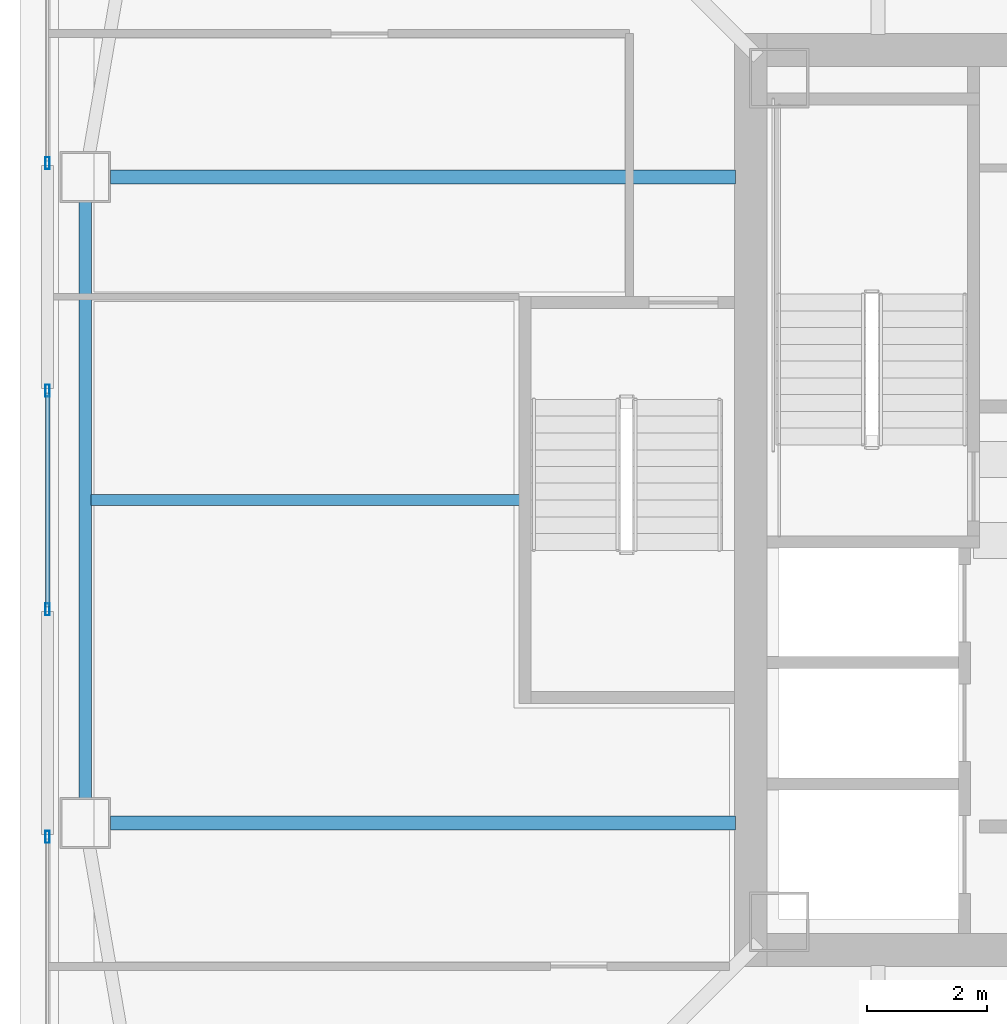
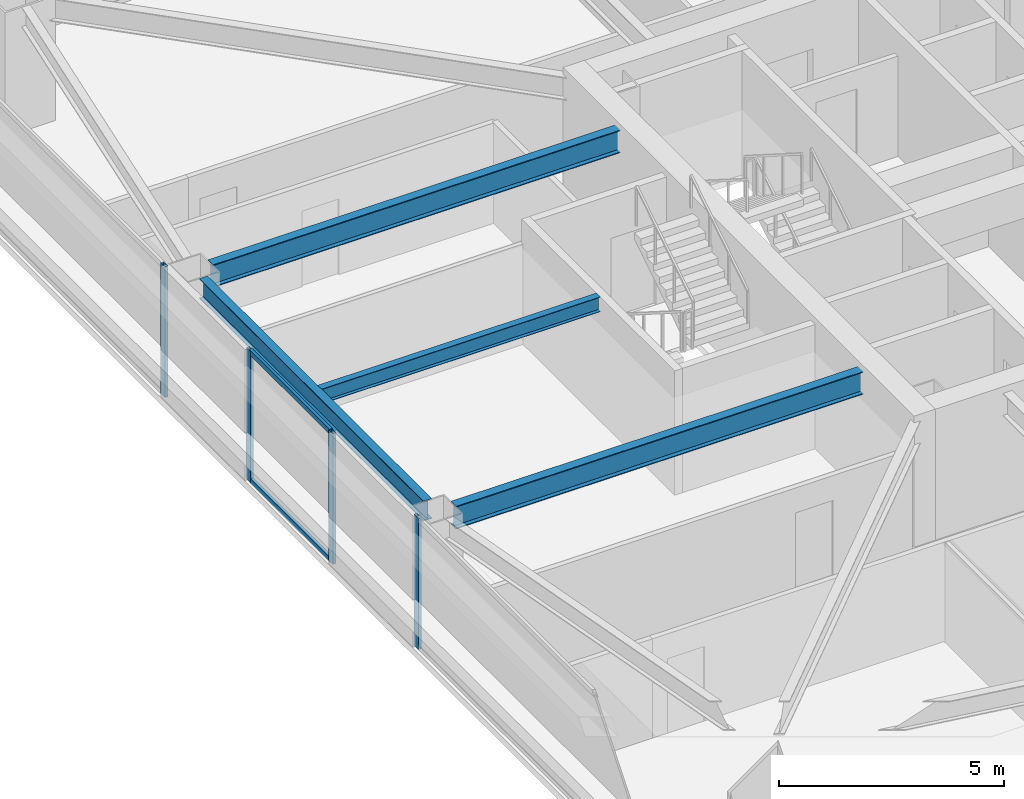
# One storey, part 7 of 42: 6 members, 4 beams, 3 elements without a shape of their own.
"""IFC4 building model written with IfcOpenShell, lengths in metres."""

from ifc_helpers import new_model, si_unit, direction, frame, origin, origin_2d, place, context, subcontext, project, spatial, hollow_rectangle, i_section, extrude, material, material_profile, profile_set, type_object, element, aggregate, save


model = new_model("IFC4")

# Units and contexts
model_context = context("Model", 3, precision=1e-05, world=origin(), true_north=direction((0.0, 1.0)))
body_context = subcontext(model_context, "Body", "Model", "MODEL_VIEW")
ifc_project = project(units=[si_unit("LENGTHUNIT", "METRE"), si_unit("AREAUNIT", "SQUARE_METRE"), si_unit("VOLUMEUNIT", "CUBIC_METRE"), si_unit("PLANEANGLEUNIT", "RADIAN"), si_unit("MASSUNIT", "GRAM", prefix="KILO")], contexts=[model_context])

# Site, building, storey
site_placement = place(None, origin())
site = spatial("IfcSite", under=ifc_project, at=site_placement, CompositionType="ELEMENT")
building_placement = place(site_placement, origin())
building = spatial("IfcBuilding", under=site, at=building_placement, Name="Tashvorn Skyway Center", CompositionType="ELEMENT")
storey_placement = place(building_placement, frame((0.0, 0.0, 121.5)))
storey = spatial("IfcBuildingStorey", under=building, at=storey_placement, Name="L32", CompositionType="ELEMENT", Elevation=121.5)

# Beams
ifc_material_1 = material(Name="Steel ASTM A992 Grade 50", Category="steel")
ifc_material_profile_1 = material_profile(ifc_material_1, i_section(OverallWidth=0.22998046875, OverallDepth=0.616943359375, WebThickness=0.01318359375, FlangeThickness=0.022216796875, at=origin_2d()), Name="W24X94")
ifc_profile_set_1 = profile_set([ifc_material_profile_1], Name="Steel ASTM A992 Grade 50")
beam_type_1 = type_object("IfcBeamType", Name="BM-BEAM-W24X94", PredefinedType="BEAM", material=ifc_profile_set_1)
for number, where, z_axis, x_axis, name in (
    (1, (23.77001953125, 37.39990234375, 3.0615234375), (1.0, 0.0, 0.0), (0.0, 1.0, 0.0), "Tower 1 L32 Primary Floor Girder FC-W1"),
    (2, (23.77001953125, 26.60009765625, 3.0615234375), (1.0, 0.0, 0.0), (0.0, 1.0, 0.0), "Tower 1 L32 Primary Floor Girder FC-W2"),
):
    element("IfcBeam", number, at=place(storey_placement, frame(where, z_axis=z_axis, x_axis=x_axis)), inside=storey, type_object=beam_type_1, Name=name, PredefinedType="BEAM", context=body_context, shape_type="SweptSolid", body=[
        extrude(i_section(OverallWidth=0.22998046875, OverallDepth=0.616943359375, WebThickness=0.01318359375, FlangeThickness=0.022216796875, at=origin_2d()), origin(), (0.0, 0.0, 1.0), 10.449951171875),
    ])
ifc_material_profile_2 = material_profile(ifc_material_1, i_section(OverallWidth=0.177978515625, OverallDepth=0.406005859375, WebThickness=0.0078125, FlangeThickness=0.0126953125, at=origin_2d()), Name="W16X40")
ifc_profile_set_2 = profile_set([ifc_material_profile_2], Name="Steel ASTM A992 Grade 50")
beam_type_2 = type_object("IfcBeamType", Name="BM-JOIST-W16X40", PredefinedType="JOIST", material=ifc_profile_set_2)
beam_1_placement = place(storey_placement, frame((30.610107421875, 32.0, 3.1669921875), z_axis=(-1.0, 0.0, 0.0), x_axis=(0.0, -1.0, 0.0)))
element("IfcBeam", 3, at=beam_1_placement, inside=storey, type_object=beam_type_2, Name="Tower 1 L32 Secondary Composite Joist JW", PredefinedType="JOIST", context=body_context, shape_type="SweptSolid", body=[
    extrude(i_section(OverallWidth=0.177978515625, OverallDepth=0.406005859375, WebThickness=0.0078125, FlangeThickness=0.0126953125, at=origin_2d()), origin(), (0.0, 0.0, 1.0), 7.16259765625),
])
ifc_material_profile_3 = material_profile(ifc_material_1, i_section(OverallWidth=0.2109375, OverallDepth=0.5390625, WebThickness=0.01171875, FlangeThickness=0.018798828125, at=origin_2d()), Name="W21X73")
ifc_profile_set_3 = profile_set([ifc_material_profile_3], Name="Steel ASTM A992 Grade 50")
beam_type_3 = type_object("IfcBeamType", Name="BM-SPANDREL-W21X73", PredefinedType="SPANDREL", material=ifc_profile_set_3)
beam_2_placement = place(storey_placement, frame((23.35009765625, 36.97998046875, 3.1005859375), z_axis=(0.0, -1.0, 0.0), x_axis=(1.0, 0.0, 0.0)))
element("IfcBeam", 4, at=beam_2_placement, inside=storey, type_object=beam_type_3, Name="Tower 1 L32 Spandrel Beam 11", PredefinedType="SPANDREL", context=body_context, shape_type="SweptSolid", body=[
    extrude(i_section(OverallWidth=0.2109375, OverallDepth=0.5390625, WebThickness=0.01171875, FlangeThickness=0.018798828125, at=origin_2d()), origin(), (0.0, 0.0, 1.0), 9.9599609375),
])

# Curtain wall, member
ifc_material_2 = material(Name="Thermally broken bronze-anodized aluminium 6063-T6", Category="aluminium")
curtain_wall_type = type_object("IfcCurtainWallType", Name="CW-CW-Z3", PredefinedType="NOTDEFINED", material=ifc_material_2)
curtain_wall_1_placement = place(storey_placement, origin())
curtain_wall_1 = element("IfcCurtainWall", 5, at=curtain_wall_1_placement, inside=storey, type_object=curtain_wall_type, Name="Tower 1 L32 West Unitised Curtain Wall Glazing Group 1", PredefinedType="NOTDEFINED")
ifc_material_profile_4 = material_profile(ifc_material_2, hollow_rectangle(XDim=0.074951171875, YDim=0.199951171875, WallThickness=0.00439453125, at=origin_2d()), Name="ALU-MULL-75x200")
ifc_profile_set_4 = profile_set([ifc_material_profile_4], Name="Thermally broken bronze-anodized aluminium 6063-T6")
member_type_1 = type_object("IfcMemberType", Name="CWM-CW-Z3", PredefinedType="MULLION", material=ifc_profile_set_4)
member_1_placement = place(storey_placement, frame((22.719970703125, 26.369140625, 0.0), z_axis=(0.0, 0.0, 1.0), x_axis=(-1.0, 0.0, 0.0)))
member_1 = element("IfcMember", 6, at=member_1_placement, type_object=member_type_1, Name="CW-Z3 mullion 2", PredefinedType="MULLION", context=body_context, shape_type="SweptSolid", body=[
    extrude(hollow_rectangle(XDim=0.074951171875, YDim=0.199951171875, WallThickness=0.00439453125, at=origin_2d()), origin(), (0.0, 0.0, 1.0), 3.550048828125),
])
aggregate(curtain_wall_1, [member_1])

# Curtain wall, members
curtain_wall_2_placement = place(storey_placement, origin())
curtain_wall_2 = element("IfcCurtainWall", 7, at=curtain_wall_2_placement, inside=storey, type_object=curtain_wall_type, Name="Tower 1 L32 West Unitised Curtain Wall Glazing Group 2", PredefinedType="NOTDEFINED")
member_2_placement = place(storey_placement, frame((22.719970703125, 30.173095703125, 0.0), z_axis=(0.0, 0.0, 1.0), x_axis=(-1.0, 0.0, 0.0)))
member_2 = element("IfcMember", 8, at=member_2_placement, type_object=member_type_1, Name="CW-Z3 mullion 1", PredefinedType="MULLION", context=body_context, shape_type="SweptSolid", body=[
    extrude(hollow_rectangle(XDim=0.074951171875, YDim=0.199951171875, WallThickness=0.00439453125, at=origin_2d()), origin(), (0.0, 0.0, 1.0), 3.550048828125),
])
member_3_placement = place(storey_placement, frame((22.719970703125, 33.826904296875, 0.0), z_axis=(0.0, 0.0, 1.0), x_axis=(-1.0, 0.0, 0.0)))
member_3 = element("IfcMember", 9, at=member_3_placement, type_object=member_type_1, Name="CW-Z3 mullion 2", PredefinedType="MULLION", context=body_context, shape_type="SweptSolid", body=[
    extrude(hollow_rectangle(XDim=0.074951171875, YDim=0.199951171875, WallThickness=0.00439453125, at=origin_2d()), origin(), (0.0, 0.0, 1.0), 3.550048828125),
])

# Curtain wall, member
curtain_wall_3_placement = place(storey_placement, origin())
curtain_wall_3 = element("IfcCurtainWall", 10, at=curtain_wall_3_placement, inside=storey, type_object=curtain_wall_type, Name="Tower 1 L32 West Unitised Curtain Wall Glazing Group 3", PredefinedType="NOTDEFINED")
member_4_placement = place(storey_placement, frame((22.719970703125, 37.630859375, 0.0), z_axis=(0.0, 0.0, 1.0), x_axis=(-1.0, 0.0, 0.0)))
member_4 = element("IfcMember", 11, at=member_4_placement, type_object=member_type_1, Name="CW-Z3 mullion 1", PredefinedType="MULLION", context=body_context, shape_type="SweptSolid", body=[
    extrude(hollow_rectangle(XDim=0.074951171875, YDim=0.199951171875, WallThickness=0.00439453125, at=origin_2d()), origin(), (0.0, 0.0, 1.0), 3.550048828125),
])
aggregate(curtain_wall_3, [member_4])

# Member
ifc_material_profile_5 = material_profile(ifc_material_2, hollow_rectangle(XDim=0.074951171875, YDim=0.139892578125, WallThickness=0.004150390625, at=origin_2d()), Name="ALU-TRAN-75x140")
ifc_profile_set_5 = profile_set([ifc_material_profile_5], Name="Thermally broken bronze-anodized aluminium 6063-T6")
member_type_2 = type_object("IfcMemberType", Name="CWT-CW-Z3", PredefinedType="USERDEFINED", material=ifc_profile_set_5)
member_5_placement = place(storey_placement, frame((22.719970703125, 30.210693359375, 0.03759765625), z_axis=(0.0, 1.0, 0.0), x_axis=(-1.0, 0.0, 0.0)))
member_5 = element("IfcMember", 12, at=member_5_placement, type_object=member_type_2, Name="CW-Z3 transom 1.1", ObjectType="TRANSOM", PredefinedType="USERDEFINED", context=body_context, shape_type="SweptSolid", body=[
    extrude(hollow_rectangle(XDim=0.074951171875, YDim=0.139892578125, WallThickness=0.004150390625, at=origin_2d()), origin(), (0.0, 0.0, 1.0), 3.57861328125),
])

member_6_placement = place(storey_placement, frame((22.719970703125, 30.210693359375, 3.512451171875), z_axis=(0.0, 1.0, 0.0), x_axis=(-1.0, 0.0, 0.0)))
member_6 = element("IfcMember", 13, at=member_6_placement, type_object=member_type_2, Name="CW-Z3 transom 1.2", ObjectType="TRANSOM", PredefinedType="USERDEFINED", context=body_context, shape_type="SweptSolid", body=[
    extrude(hollow_rectangle(XDim=0.074951171875, YDim=0.139892578125, WallThickness=0.004150390625, at=origin_2d()), origin(), (0.0, 0.0, 1.0), 3.57861328125),
])

aggregate(curtain_wall_2, [member_2, member_3, member_5, member_6])

save(model, "model.ifc")
